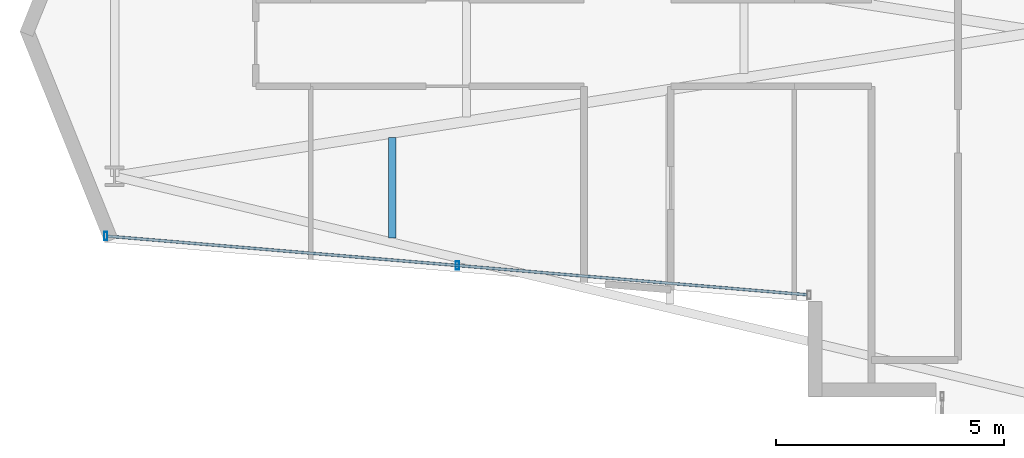
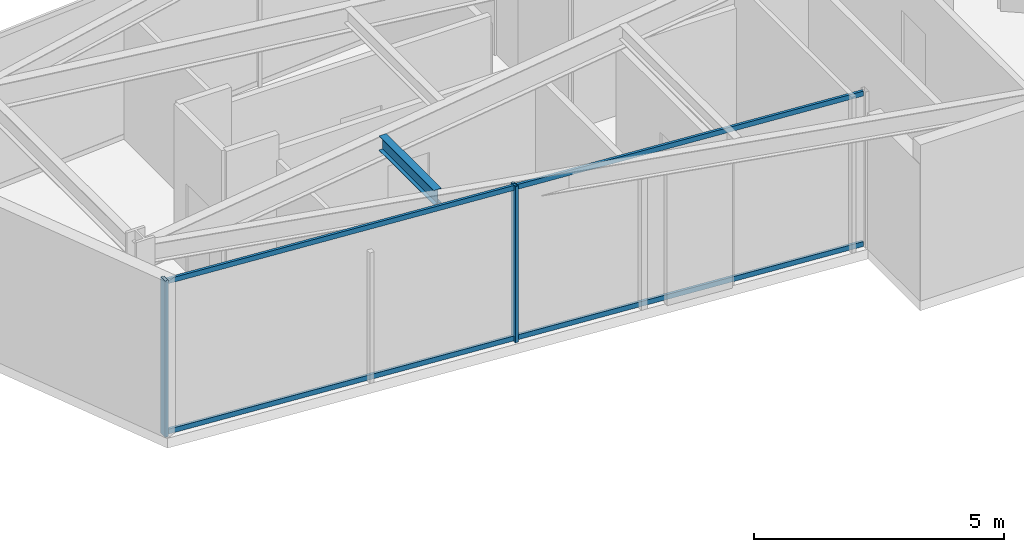
# One storey, part 2 of 25: 4 members, 1 beam, 1 element without a shape of its own.
"""IFC4 building model written with IfcOpenShell, lengths in metres."""

from ifc_helpers import new_model, si_unit, direction, frame, origin, origin_2d, place, context, subcontext, project, spatial, hollow_rectangle, i_section, extrude, material, layer, layer_set, material_profile, profile_set, type_object, element, aggregate, save


model = new_model("IFC4")

# Units and contexts
model_context = context("Model", 3, precision=1e-05, world=origin(), true_north=direction((0.0, 1.0)))
body_context = subcontext(model_context, "Body", "Model", "MODEL_VIEW")
ifc_project = project(units=[si_unit("LENGTHUNIT", "METRE"), si_unit("AREAUNIT", "SQUARE_METRE"), si_unit("VOLUMEUNIT", "CUBIC_METRE"), si_unit("PLANEANGLEUNIT", "RADIAN"), si_unit("MASSUNIT", "GRAM", prefix="KILO")], contexts=[model_context])

# Site, building, storey
site_placement = place(None, origin())
site = spatial("IfcSite", under=ifc_project, at=site_placement, CompositionType="ELEMENT")
building_placement = place(site_placement, origin())
building = spatial("IfcBuilding", under=site, at=building_placement, Name="Veymaron Broadcast Tower", CompositionType="ELEMENT")
storey_placement = place(building_placement, frame((0.0, 0.0, 129.0)))
storey = spatial("IfcBuildingStorey", under=building, at=storey_placement, Name="L29", CompositionType="ELEMENT", Elevation=129.0)

# Beam
ifc_material_1 = material(Name="Structural steel ASTM A992 Gr 50", Category="steel")
ifc_material_profile_1 = material_profile(ifc_material_1, i_section(OverallWidth=0.1708984375, OverallDepth=0.35498046875, WebThickness=0.007080078125, FlangeThickness=0.01171875, at=origin_2d()), Name="W360X51")
ifc_profile_set_1 = profile_set([ifc_material_profile_1], Name="Structural steel ASTM A992 Gr 50")
beam_type = type_object("IfcBeamType", Name="BM-JS2", PredefinedType="JOIST", material=ifc_profile_set_1)
beam_placement = place(storey_placement, frame((16.993408203125, 19.4775390625, 3.632568359375), z_axis=(0.0, 1.0, 0.0), x_axis=(-1.0, 0.0, 0.0)))
element("IfcBeam", 1, at=beam_placement, inside=storey, type_object=beam_type, Name="L29 Arm-A secondary joist 1S", PredefinedType="JOIST", context=body_context, shape_type="SweptSolid", body=[
    extrude(i_section(OverallWidth=0.1708984375, OverallDepth=0.35498046875, WebThickness=0.007080078125, FlangeThickness=0.01171875, at=origin_2d()), origin(), (0.0, 0.0, 1.0), 2.199951171875),
])

# Curtain wall, members
ifc_material_2 = material(Name="Anodised aluminium AA 6063-T6 and laminated low-E dark glass", Category="aluminium")
ifc_layer = layer(ifc_material_2, 0.179931640625)
ifc_layer_set = layer_set([ifc_layer], Name="Anodised aluminium AA 6063-T6 and laminated low-E dark glass")
curtain_wall_type = type_object("IfcCurtainWallType", Name="CW-SYS-03", PredefinedType="NOTDEFINED", material=ifc_layer_set)
curtain_wall_placement = place(storey_placement, origin())
curtain_wall = element("IfcCurtainWall", 2, at=curtain_wall_placement, inside=storey, type_object=curtain_wall_type, Name="L29 dark-glass curtain wall CW-L29-E14-1", PredefinedType="NOTDEFINED")
ifc_material_3 = material(Name="Anodised aluminium AA 6063-T6", Category="aluminium")
ifc_material_profile_2 = material_profile(ifc_material_3, hollow_rectangle(XDim=0.074951171875, YDim=0.179931640625, WallThickness=0.0048828125, at=origin_2d()), Name="AL180X75X5")
ifc_profile_set_2 = profile_set([ifc_material_profile_2], Name="Anodised aluminium AA 6063-T6")
member_type_1 = type_object("IfcMemberType", Name="CW-MUL-02", PredefinedType="MULLION", material=ifc_profile_set_2)
member_1_placement = place(storey_placement, frame((10.711669921875, 19.517333984375, 0.0), z_axis=(0.0, 0.0, 1.0), x_axis=(1.0, 0.0, 0.0)))
member_1 = element("IfcMember", 3, at=member_1_placement, type_object=member_type_1, Name="CW-L29-E14-1 mullion 0", PredefinedType="MULLION", context=body_context, shape_type="SweptSolid", body=[
    extrude(hollow_rectangle(XDim=0.074951171875, YDim=0.179931640625, WallThickness=0.0048828125, at=origin_2d()), origin(), (0.0, 0.0, 1.0), 3.81005859375),
])
member_2_placement = place(storey_placement, frame((18.421630859375, 18.871337890625, 0.0), z_axis=(0.0, 0.0, 1.0), x_axis=(1.0, 0.0, 0.0)))
member_2 = element("IfcMember", 4, at=member_2_placement, type_object=member_type_1, Name="CW-L29-E14-1 mullion 1", PredefinedType="MULLION", context=body_context, shape_type="SweptSolid", body=[
    extrude(hollow_rectangle(XDim=0.074951171875, YDim=0.179931640625, WallThickness=0.0048828125, at=origin_2d()), origin(), (0.0, 0.0, 1.0), 3.81005859375),
])
ifc_material_profile_3 = material_profile(ifc_material_3, hollow_rectangle(XDim=0.06005859375, YDim=0.1201171875, WallThickness=0.00390625, at=origin_2d()), Name="AL120X60X4")
ifc_profile_set_3 = profile_set([ifc_material_profile_3], Name="Anodised aluminium AA 6063-T6")
member_type_2 = type_object("IfcMemberType", Name="CW-TRN-02", PredefinedType="USERDEFINED", material=ifc_profile_set_3)
member_3_placement = place(storey_placement, frame((10.761474609375, 19.51318359375, 0.070068359375), z_axis=(0.996507981532, -0.083497561303, 0.0), x_axis=(0.083497561303, 0.996507981532, 0.0)))
member_3 = element("IfcMember", 5, at=member_3_placement, type_object=member_type_2, Name="CW-L29-E14-1 transom B", ObjectType="TRANSOM", PredefinedType="USERDEFINED", context=body_context, shape_type="SweptSolid", body=[
    extrude(hollow_rectangle(XDim=0.06005859375, YDim=0.1201171875, WallThickness=0.00390625, at=origin_2d()), origin(), (0.0, 0.0, 1.0), 15.3740234375),
])
member_4_placement = place(storey_placement, frame((10.761474609375, 19.51318359375, 3.739990234375), z_axis=(0.996507981532, -0.083497561303, 0.0), x_axis=(0.083497561303, 0.996507981532, 0.0)))
member_4 = element("IfcMember", 6, at=member_4_placement, type_object=member_type_2, Name="CW-L29-E14-1 transom T", ObjectType="TRANSOM", PredefinedType="USERDEFINED", context=body_context, shape_type="SweptSolid", body=[
    extrude(hollow_rectangle(XDim=0.06005859375, YDim=0.1201171875, WallThickness=0.00390625, at=origin_2d()), origin(), (0.0, 0.0, 1.0), 15.3740234375),
])
aggregate(curtain_wall, [member_1, member_2, member_3, member_4])

save(model, "model.ifc")
